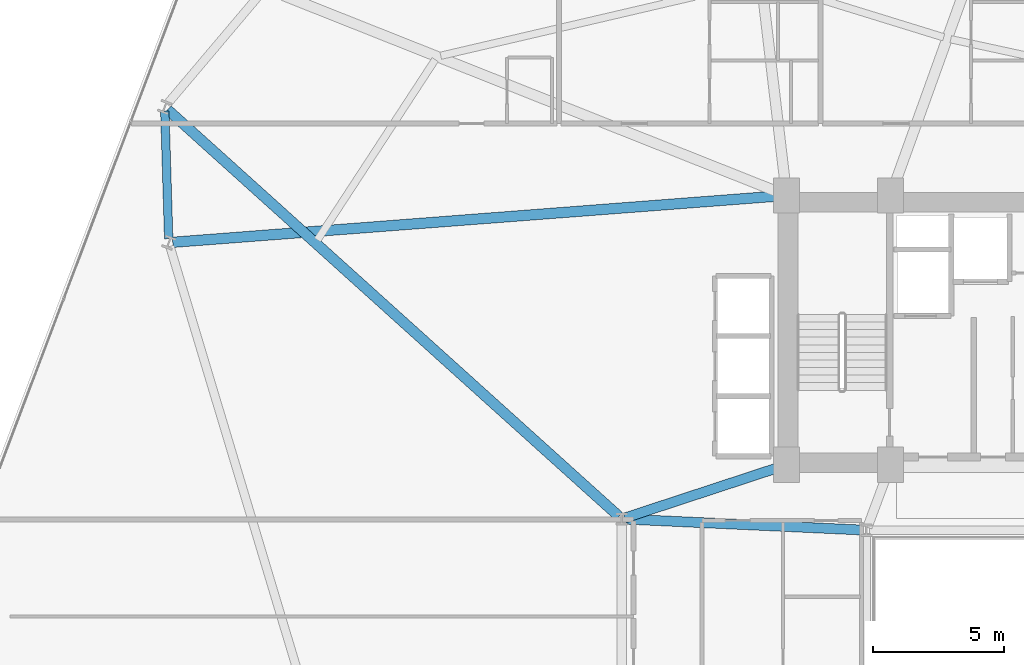
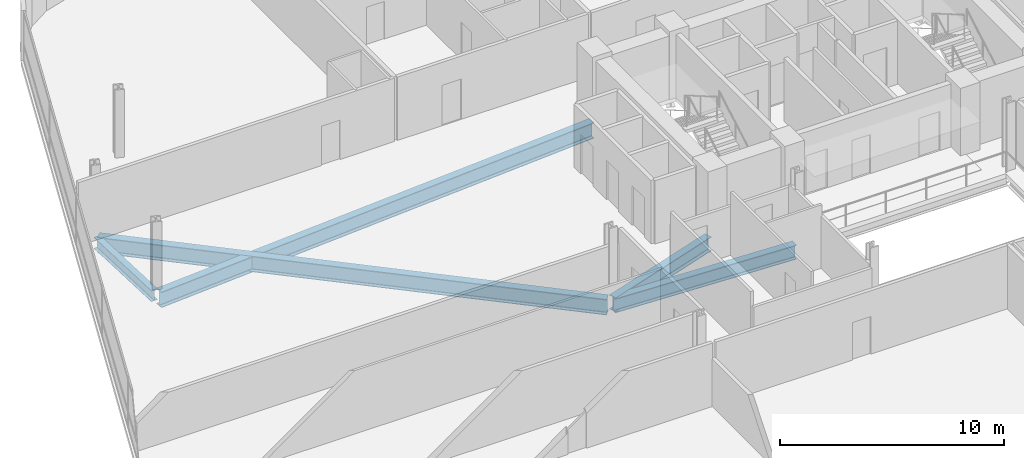
# One storey, part 7 of 25: 5 beams.
"""IFC4 building model written with IfcOpenShell, lengths in metres."""

from ifc_helpers import new_model, si_unit, direction, frame, origin, origin_2d, place, context, subcontext, project, spatial, i_section, extrude, material, material_profile, profile_set, type_object, element, save


model = new_model("IFC4")

# Units and contexts
model_context = context("Model", 3, precision=1e-05, world=origin(), true_north=direction((0.0, 1.0)))
body_context = subcontext(model_context, "Body", "Model", "MODEL_VIEW")
ifc_project = project(units=[si_unit("LENGTHUNIT", "METRE"), si_unit("AREAUNIT", "SQUARE_METRE"), si_unit("VOLUMEUNIT", "CUBIC_METRE"), si_unit("PLANEANGLEUNIT", "RADIAN"), si_unit("MASSUNIT", "GRAM", prefix="KILO")], contexts=[model_context])

# Site, building, storey
site_placement = place(None, origin())
site = spatial("IfcSite", under=ifc_project, at=site_placement, CompositionType="ELEMENT")
building_placement = place(site_placement, origin())
building = spatial("IfcBuilding", under=site, at=building_placement, Name="Varnelok Gate Tower", CompositionType="ELEMENT")
storey_placement = place(building_placement, frame((0.0, 0.0, 105.800048828125)))
storey = spatial("IfcBuildingStorey", under=building, at=storey_placement, Name="L26", CompositionType="ELEMENT", Elevation=105.800048828125)

# Beams
ifc_material = material(Name="Structural Steel ASTM A992 Grade 50", Category="steel")
ifc_material_profile_1 = material_profile(ifc_material, i_section(OverallWidth=0.381103515625, OverallDepth=0.77294921875, WebThickness=0.0166015625, FlangeThickness=0.027099609375, FilletRadius=0.02197265625, at=origin_2d()), Name="W30X173")
ifc_profile_set_1 = profile_set([ifc_material_profile_1], Name="Structural Steel ASTM A992 Grade 50")
beam_type_1 = type_object("IfcBeamType", Name="BM-PRI-W30X173", PredefinedType="BEAM", material=ifc_profile_set_1)
beam_1_placement = place(storey_placement, frame((24.52001953125, 26.674560546875, -0.636474609375), z_axis=(0.99894427814, -0.045938319209, 0.0), x_axis=(0.045938319209, 0.99894427814, 0.0)))
element("IfcBeam", 1, at=beam_1_placement, inside=storey, type_object=beam_type_1, Name="L26 Core-Atrium Spine Beam 15", PredefinedType="BEAM", context=body_context, shape_type="SweptSolid", body=[
    extrude(i_section(OverallWidth=0.381103515625, OverallDepth=0.77294921875, WebThickness=0.0166015625, FlangeThickness=0.027099609375, FilletRadius=0.02197265625, at=origin_2d()), origin(), (0.0, 0.0, 1.0), 9.11962890625),
])
beam_2_placement = place(storey_placement, frame((24.513916015625, 26.717529296875, -0.636474609375), z_axis=(0.950041943788, 0.312122259768, 0.0), x_axis=(-0.312122259768, 0.950041943788, 0.0)))
element("IfcBeam", 2, at=beam_2_placement, inside=storey, type_object=beam_type_1, Name="L26 Core-Atrium Spine Beam 17", PredefinedType="BEAM", context=body_context, shape_type="SweptSolid", body=[
    extrude(i_section(OverallWidth=0.381103515625, OverallDepth=0.77294921875, WebThickness=0.0166015625, FlangeThickness=0.027099609375, FilletRadius=0.02197265625, at=origin_2d()), origin(), (0.0, 0.0, 1.0), 6.391357421875),
])
ifc_material_profile_2 = material_profile(ifc_material, i_section(OverallWidth=0.39892578125, OverallDepth=0.85498046875, WebThickness=0.018310546875, FlangeThickness=0.029296875, FilletRadius=0.02392578125, at=origin_2d()), Name="W33X201")
ifc_profile_set_2 = profile_set([ifc_material_profile_2], Name="Structural Steel ASTM A992 Grade 50")
beam_type_2 = type_object("IfcBeamType", Name="BM-PRI-W33X201", PredefinedType="BEAM", material=ifc_profile_set_2)
beam_3_placement = place(storey_placement, frame((24.28857421875, 26.780517578125, -0.677490234375), z_axis=(-0.742906696972, 0.669394980258, 0.0), x_axis=(-0.669394980258, -0.742906696972, 0.0)))
element("IfcBeam", 3, at=beam_3_placement, inside=storey, type_object=beam_type_2, Name="L26 Radial Floor Girder 15", PredefinedType="BEAM", context=body_context, shape_type="SweptSolid", body=[
    extrude(i_section(OverallWidth=0.39892578125, OverallDepth=0.85498046875, WebThickness=0.018310546875, FlangeThickness=0.029296875, FilletRadius=0.02392578125, at=origin_2d()), origin(), (0.0, 0.0, 1.0), 23.224609375),
])
beam_4_placement = place(storey_placement, frame((30.55029296875, 39.03857421875, -0.677490234375), z_axis=(-0.997095422745, -0.076162444427, 0.0), x_axis=(0.076162444427, -0.997095422745, 0.0)))
element("IfcBeam", 4, at=beam_4_placement, inside=storey, type_object=beam_type_2, Name="L26 Radial Floor Girder 16", PredefinedType="BEAM", context=body_context, shape_type="SweptSolid", body=[
    extrude(i_section(OverallWidth=0.39892578125, OverallDepth=0.85498046875, WebThickness=0.018310546875, FlangeThickness=0.029296875, FilletRadius=0.02392578125, at=origin_2d()), origin(), (0.0, 0.0, 1.0), 23.387451171875),
])
ifc_material_profile_3 = material_profile(ifc_material, i_section(OverallWidth=0.323974609375, OverallDepth=0.611083984375, WebThickness=0.0126953125, FlangeThickness=0.01904296875, FilletRadius=0.01806640625, at=origin_2d()), Name="W24X104")
ifc_profile_set_3 = profile_set([ifc_material_profile_3], Name="Structural Steel ASTM A992 Grade 50")
beam_type_3 = type_object("IfcBeamType", Name="BM-SPN-W24X104", PredefinedType="SPANDREL", material=ifc_profile_set_3)
beam_5_placement = place(storey_placement, frame((6.927978515625, 42.277587890625, -0.5556640625), z_axis=(0.030393553869, -0.999538009224, 0.0), x_axis=(0.999538009224, 0.030393553869, 0.0)))
element("IfcBeam", 5, at=beam_5_placement, inside=storey, type_object=beam_type_3, Name="L26 Perimeter Spandrel Beam 15", PredefinedType="SPANDREL", context=body_context, shape_type="SweptSolid", body=[
    extrude(i_section(OverallWidth=0.323974609375, OverallDepth=0.611083984375, WebThickness=0.0126953125, FlangeThickness=0.01904296875, FilletRadius=0.01806640625, at=origin_2d()), origin(), (0.0, 0.0, 1.0), 4.8837890625),
])

save(model, "model.ifc")
